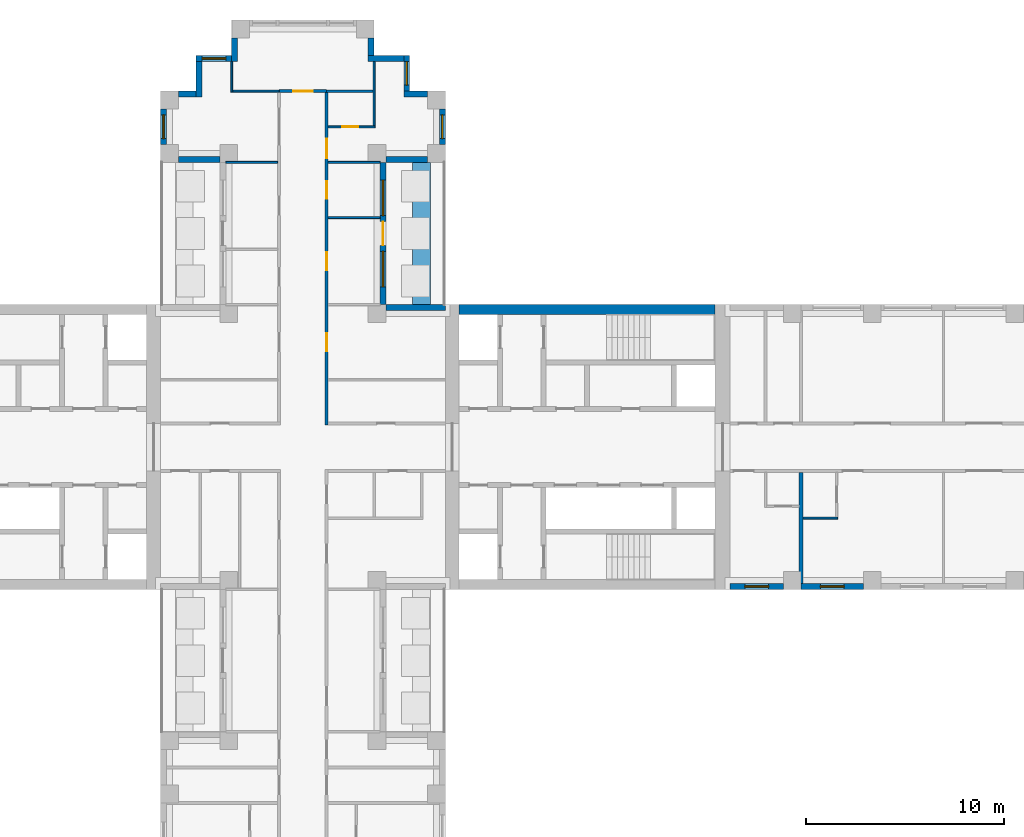
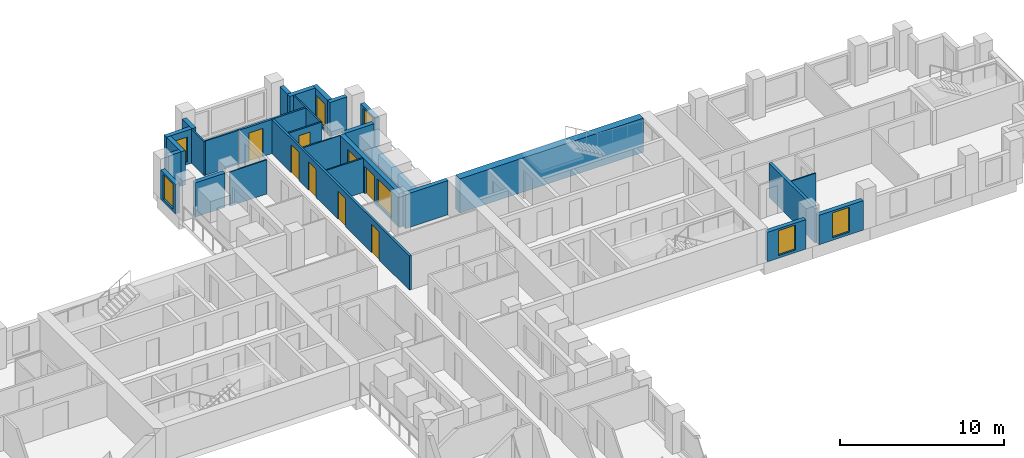
# One storey, part 9 of 13: 30 walls, 8 windows, 7 doors, 15 openings.
"""IFC4 building model written with IfcOpenShell, lengths in metres."""

import ifcopenshell
import ifcopenshell.guid

model = None  # the IFC model being written
_history = None  # IfcOwnerHistory: only IFC2X3 demands one
_inside = {}  # id of a spatial element -> (the spatial element, [elements in it])
_under = {}  # id of a project, library or spatial element -> (it, [spatial elements below it])
_declared = {}  # id of a project -> (the project, [libraries it declares])
_typed = {}  # id of a type object -> (the type object, [elements of that type])
_made_of = {}  # id of a material, layer set ... -> (it, [elements and type objects made of it])


def new_model(schema):
    """Start an empty IFC model of exactly this schema.

    Asked for "IFC4X3", IfcOpenShell would pick the latest addendum, in which some entities
    have other attributes; the version numbers below select the first issue.
    IFC2X3 requires an IfcOwnerHistory on every rooted entity: one is made here for all.
    """
    global model, _history
    if schema == "IFC4X3":
        model = ifcopenshell.file(schema_version=(4, 3, 0, 0))
    else:
        model = ifcopenshell.file(schema=schema)
    _inside.clear()
    _under.clear()
    _declared.clear()
    _typed.clear()
    _made_of.clear()
    _history = None
    if model.schema == "IFC2X3":
        org = make("IfcOrganization", Name="unknown")
        user = make(
            "IfcPersonAndOrganization",
            ThePerson=make("IfcPerson", FamilyName="unknown"),
            TheOrganization=org,
        )
        app = make(
            "IfcApplication",
            ApplicationDeveloper=org,
            Version="unknown",
            ApplicationFullName="unknown",
            ApplicationIdentifier="unknown",
        )
        _history = make(
            "IfcOwnerHistory",
            OwningUser=user,
            OwningApplication=app,
            ChangeAction="ADDED",
            CreationDate=0,
        )
    return model


def make(cls, **values):
    """One entity of the class cls with the attributes given. An attribute that is None is left unset."""
    return model.create_entity(
        cls, **{name: value for name, value in values.items() if value is not None}
    )


def rooted(cls, **values):
    """An entity with a GlobalId (a new one), such as an element, a storey or a relation."""
    return make(cls, GlobalId=ifcopenshell.guid.new(), OwnerHistory=_history, **values)


def si_unit(unit_type, name, prefix=None):
    """IfcSIUnit, for example si_unit("LENGTHUNIT", "METRE", prefix="MILLI")."""
    return make("IfcSIUnit", UnitType=unit_type, Prefix=prefix, Name=name)


def assignment(units):
    """IfcUnitAssignment: the units of a project."""
    return None if units is None else make("IfcUnitAssignment", Units=units)


def point(xyz):
    """IfcCartesianPoint."""
    return None if xyz is None else make("IfcCartesianPoint", Coordinates=xyz)


def direction(xyz):
    """IfcDirection."""
    return None if xyz is None else make("IfcDirection", DirectionRatios=xyz)


def frame(location, z_axis=None, x_axis=None):
    """IfcAxis2Placement3D, a coordinate frame: its origin and axes. An axis left out is left unset."""
    return make(
        "IfcAxis2Placement3D",
        Location=point(location),
        Axis=direction(z_axis),
        RefDirection=direction(x_axis),
    )


def frame_2d(location, x_axis=None):
    """IfcAxis2Placement2D, a coordinate frame in the plane: its origin and x axis."""
    return make(
        "IfcAxis2Placement2D", Location=point(location), RefDirection=direction(x_axis)
    )


def origin():
    """The frame at (0, 0, 0) with its axes left unset."""
    return frame((0.0, 0.0, 0.0))


def place(relative_to, where):
    """IfcLocalPlacement: puts the frame where relative to a parent placement (None: the world)."""
    return make(
        "IfcLocalPlacement", PlacementRelTo=relative_to, RelativePlacement=where
    )


def context(
    kind, dimensions, precision=None, world=None, true_north=None, identifier=None
):
    """IfcGeometricRepresentationContext, for example the 3D "Model" context."""
    return make(
        "IfcGeometricRepresentationContext",
        ContextIdentifier=identifier,
        ContextType=kind,
        CoordinateSpaceDimension=dimensions,
        Precision=precision,
        WorldCoordinateSystem=world,
        TrueNorth=true_north,
    )


def subcontext(parent, identifier, kind, view, scale=None):
    """IfcGeometricRepresentationSubContext, for example "Body" below "Model"."""
    return make(
        "IfcGeometricRepresentationSubContext",
        ContextIdentifier=identifier,
        ContextType=kind,
        ParentContext=parent,
        TargetScale=scale,
        TargetView=view,
    )


def project(units=None, contexts=None):
    """IfcProject with its units and contexts."""
    return rooted(
        "IfcProject",
        Name="project",
        RepresentationContexts=contexts,
        UnitsInContext=assignment(units),
    )


def spatial(cls, under=None, at=None, **own):
    """A site, building, storey or space (cls), placed at a placement, below another one or the project."""
    s = rooted(cls, ObjectPlacement=at, **own)
    if under is not None:
        _under.setdefault(under.id(), (under, []))[1].append(s)
    return s


def profile(cls, at=None, kind="AREA", **sizes):
    """A parametric profile (cls). Its sizes go by their IFC names, for example OverallWidth=200.0."""
    return make(cls, ProfileType=kind, Position=at, **sizes)


def rectangle(**sizes):
    """IfcRectangleProfileDef."""
    return profile("IfcRectangleProfileDef", **sizes)


def extrude(swept, where, along, depth):
    """IfcExtrudedAreaSolid: the profile swept, set in the frame where, extruded along a direction by depth."""
    return make(
        "IfcExtrudedAreaSolid",
        SweptArea=swept,
        Position=where,
        ExtrudedDirection=direction(along),
        Depth=depth,
    )


def shape(context_of_items, identifier, shape_type, items):
    """IfcShapeRepresentation: the items that make up one representation, for example the "Body"."""
    return make(
        "IfcShapeRepresentation",
        ContextOfItems=context_of_items,
        RepresentationIdentifier=identifier,
        RepresentationType=shape_type,
        Items=items,
    )


def material(Name=None, Category=None):
    """IfcMaterial."""
    return make("IfcMaterial", Name=Name, Category=Category)


def layer(
    of_material, thickness, ventilated=None, Name=None, Category=None, Priority=None
):
    """IfcMaterialLayer: one layer of a wall or slab, of a material (None: an air gap)."""
    return make(
        "IfcMaterialLayer",
        Material=of_material,
        LayerThickness=thickness,
        IsVentilated=ventilated,
        Name=Name,
        Category=Category,
        Priority=Priority,
    )


def layer_set(layers, Name=None):
    """IfcMaterialLayerSet."""
    return make("IfcMaterialLayerSet", MaterialLayers=layers, LayerSetName=Name)


def made_of(thing, what):
    """Note that an element or type object is made of a material, layer set ...; save() writes the relation."""
    if what is not None:
        _made_of.setdefault(what.id(), (what, []))[1].append(thing)
    return thing


def type_object(cls, material=None, **own):
    """A type object (cls), such as IfcWallType, which elements share."""
    return made_of(rooted(cls, **own), material)


def element(
    cls,
    number,
    at=None,
    inside=None,
    cuts=None,
    type_object=None,
    material=None,
    context=None,
    identifier="Body",
    shape_type=None,
    held_by="IfcProductDefinitionShape",
    body=None,
    shapes=None,
    **own,
):
    """One element of the class cls, such as IfcWall. Its Tag is "e" and its number.

    at: its placement. inside: the storey or other place that contains it. cuts: it is an
    opening in that element (IfcRelVoidsElement). A single representation is given by context,
    identifier, shape_type and body (its items); several are given by shapes. held_by: the class
    of the entity that holds the representations. save() writes the other relations.
    """
    e = rooted(cls, Tag="e%d" % number, ObjectPlacement=at, **own)
    if body is not None:
        shapes = [shape(context, identifier, shape_type, body)]
    if shapes is not None:
        e.Representation = make(held_by, Representations=shapes)
    if inside is not None:
        _inside.setdefault(inside.id(), (inside, []))[1].append(e)
    if cuts is not None:
        rooted(
            "IfcRelVoidsElement", RelatingBuildingElement=cuts, RelatedOpeningElement=e
        )
    if type_object is not None:
        _typed.setdefault(type_object.id(), (type_object, []))[1].append(e)
    return made_of(e, material)


def fill(opening, filler):
    """IfcRelFillsElement: the door or window that sits in an opening."""
    return rooted(
        "IfcRelFillsElement",
        RelatingOpeningElement=opening,
        RelatedBuildingElement=filler,
    )


def aggregate(whole, parts):
    """IfcRelAggregates: a whole, such as a stair, and the parts it consists of."""
    return rooted("IfcRelAggregates", RelatingObject=whole, RelatedObjects=parts)


def save(model, path):
    """Write the relations noted so far, then the file.

    IfcRelAggregates (storeys below a building ...), IfcRelContainedInSpatialStructure (elements
    in a storey), IfcRelDefinesByType, IfcRelAssociatesMaterial and IfcRelDeclares: one each for
    every whole, place, type object, material and project.
    """
    for whole, parts in _under.values():
        aggregate(whole, parts)
    for where, things in _inside.values():
        rooted(
            "IfcRelContainedInSpatialStructure",
            RelatedElements=things,
            RelatingStructure=where,
        )
    for kind, things in _typed.values():
        rooted("IfcRelDefinesByType", RelatedObjects=things, RelatingType=kind)
    for what, things in _made_of.values():
        rooted("IfcRelAssociatesMaterial", RelatedObjects=things, RelatingMaterial=what)
    for by, libraries in _declared.values():
        rooted("IfcRelDeclares", RelatingContext=by, RelatedDefinitions=libraries)
    model.write(path)


model = new_model("IFC4")

# Units and contexts
model_context = context("Model", 3, precision=1e-05, world=origin(), true_north=direction((0.0, 1.0)))
body_context = subcontext(model_context, "Body", "Model", "MODEL_VIEW")
ifc_project = project(units=[si_unit("LENGTHUNIT", "METRE"), si_unit("AREAUNIT", "SQUARE_METRE"), si_unit("VOLUMEUNIT", "CUBIC_METRE"), si_unit("PLANEANGLEUNIT", "RADIAN"), si_unit("MASSUNIT", "GRAM", prefix="KILO")], contexts=[model_context])

# Site, building, storey
site_placement = place(None, origin())
site = spatial("IfcSite", under=ifc_project, at=site_placement, CompositionType="ELEMENT")
building_placement = place(site_placement, origin())
building = spatial("IfcBuilding", under=site, at=building_placement, Name="Fustian Cross Tower", CompositionType="ELEMENT")
storey_placement = place(building_placement, frame((0.0, 0.0, 108.89990234375)))
storey = spatial("IfcBuildingStorey", under=building, at=storey_placement, Name="L34", CompositionType="ELEMENT", Elevation=108.89990234375)

# Wall, opening, door
ifc_material_1 = material(Name="Plasterboard on steel stud", Category="steel")
ifc_layer_1 = layer(ifc_material_1, 0.14990234375)
ifc_layer_set_1 = layer_set([ifc_layer_1], Name="Plasterboard on steel stud")
wall_type_1 = type_object("IfcWallType", Name="COMPARTMENT WALL 150 EI 60", PredefinedType="PARTITIONING", material=ifc_layer_set_1)
wall_1_placement = place(storey_placement, frame((-1.199951171875, 18.0, 0.0), z_axis=(0.0, 0.0, 1.0), x_axis=(1.0, 0.0, 0.0)))
wall_1 = element("IfcWall", 1, at=wall_1_placement, inside=storey, type_object=wall_type_1, Name="Partition 42", PredefinedType="PARTITIONING", context=body_context, shape_type="SweptSolid", body=[
    extrude(rectangle(XDim=2.39990234375, YDim=0.14990234375, at=frame_2d((1.199951171875, 0.0))), origin(), (0.0, 0.0, 1.0), 2.550048828125),
])
opening_1_placement = place(wall_1_placement, frame((0.699951171875, 0.0, 0.0)))
opening_1 = element("IfcOpeningElement", 2, at=opening_1_placement, cuts=wall_1, Name="Opening D15020", PredefinedType="OPENING", context=body_context, shape_type="SweptSolid", body=[
    extrude(rectangle(XDim=1.0, YDim=2.10009765625, at=frame_2d((0.5, 1.050048828125))), frame((0.0, 0.0849609375, 0.0), z_axis=(0.0, -1.0, 0.0), x_axis=(1.0, 0.0, 0.0)), (0.0, 0.0, 1.0), 0.169921875),
])
ifc_material_2 = material(Name="Timber fire door set", Category="wood")
door_type_1 = type_object("IfcDoorType", Name="FIRE SWING DOOR 1000 FD30S", OperationType="SINGLE_SWING_LEFT", PredefinedType="DOOR", material=ifc_material_2)
door_1_placement = place(opening_1_placement, origin())
door_1 = element("IfcDoor", 3, at=door_1_placement, inside=storey, type_object=door_type_1, Name="Door D15020", OperationType="SINGLE_SWING_LEFT", OverallHeight=2.10009765625, OverallWidth=1.0, PredefinedType="DOOR", context=body_context, shape_type="SweptSolid", body=[
    extrude(rectangle(XDim=1.0, YDim=2.10009765625, at=frame_2d((0.5, 1.050048828125))), frame((0.0, 0.02490234375, 0.0), z_axis=(0.0, -1.0, 0.0), x_axis=(1.0, 0.0, 0.0)), (0.0, 0.0, 1.0), 0.050048828125),
])
fill(opening_1, door_1)

# Wall, openings, doors
wall_2_placement = place(storey_placement, frame((1.199951171875, 1.125, 0.0), z_axis=(0.0, 0.0, 1.0), x_axis=(0.0, 1.0, 0.0)))
wall_2 = element("IfcWall", 4, at=wall_2_placement, inside=storey, type_object=wall_type_1, Name="Partition 51", PredefinedType="PARTITIONING", context=body_context, shape_type="SweptSolid", body=[
    extrude(rectangle(XDim=16.800048828125, YDim=0.14990234375, at=frame_2d((8.39990234375, 0.0))), origin(), (0.0, 0.0, 1.0), 2.550048828125),
])
opening_2_placement = place(wall_2_placement, frame((3.72509765625, 0.0, 0.0)))
opening_2 = element("IfcOpeningElement", 5, at=opening_2_placement, cuts=wall_2, Name="Opening D15002", PredefinedType="OPENING", context=body_context, shape_type="SweptSolid", body=[
    extrude(rectangle(XDim=0.89990234375, YDim=2.10009765625, at=frame_2d((0.449951171875, 1.050048828125))), frame((0.0, 0.0849609375, 0.0), z_axis=(0.0, -1.0, 0.0), x_axis=(1.0, 0.0, 0.0)), (0.0, 0.0, 1.0), 0.169921875),
])
opening_3_placement = place(wall_2_placement, frame((11.425048828125, 0.0, 0.0)))
opening_3 = element("IfcOpeningElement", 6, at=opening_3_placement, cuts=wall_2, Name="Opening D15024", PredefinedType="OPENING", context=body_context, shape_type="SweptSolid", body=[
    extrude(rectangle(XDim=0.89990234375, YDim=2.10009765625, at=frame_2d((0.449951171875, 1.050048828125))), frame((0.0, 0.0849609375, 0.0), z_axis=(0.0, -1.0, 0.0), x_axis=(1.0, 0.0, 0.0)), (0.0, 0.0, 1.0), 0.169921875),
])
opening_4_placement = place(wall_2_placement, frame((7.824951171875, 0.0, 0.0)))
opening_4 = element("IfcOpeningElement", 7, at=opening_4_placement, cuts=wall_2, Name="Opening D15025", PredefinedType="OPENING", context=body_context, shape_type="SweptSolid", body=[
    extrude(rectangle(XDim=0.89990234375, YDim=2.10009765625, at=frame_2d((0.449951171875, 1.050048828125))), frame((0.0, 0.0849609375, 0.0), z_axis=(0.0, -1.0, 0.0), x_axis=(1.0, 0.0, 0.0)), (0.0, 0.0, 1.0), 0.169921875),
])
opening_5_placement = place(wall_2_placement, frame((13.47509765625, 0.0, 0.0)))
opening_5 = element("IfcOpeningElement", 8, at=opening_5_placement, cuts=wall_2, Name="Opening D15027", PredefinedType="OPENING", context=body_context, shape_type="SweptSolid", body=[
    extrude(rectangle(XDim=1.0, YDim=2.10009765625, at=frame_2d((0.5, 1.050048828125))), frame((0.0, 0.0849609375, 0.0), z_axis=(0.0, -1.0, 0.0), x_axis=(1.0, 0.0, 0.0)), (0.0, 0.0, 1.0), 0.169921875),
])
door_2_placement = place(opening_5_placement, frame((1.0, 0.0, 0.0), z_axis=(0.0, 0.0, 1.0), x_axis=(-1.0, 0.0, 0.0)))
door_2 = element("IfcDoor", 9, at=door_2_placement, inside=storey, type_object=door_type_1, Name="Door D15027", OperationType="SINGLE_SWING_RIGHT", OverallHeight=2.10009765625, OverallWidth=1.0, PredefinedType="DOOR", context=body_context, shape_type="SweptSolid", body=[
    extrude(rectangle(XDim=1.0, YDim=2.10009765625, at=frame_2d((0.5, 1.050048828125))), frame((0.0, 0.02490234375, 0.0), z_axis=(0.0, -1.0, 0.0), x_axis=(1.0, 0.0, 0.0)), (0.0, 0.0, 1.0), 0.050048828125),
])
fill(opening_5, door_2)
ifc_material_3 = material(Name="Timber fire door set", Category="wood")
door_type_2 = type_object("IfcDoorType", Name="FIRE SWING DOOR 900 FD30S", OperationType="SINGLE_SWING_LEFT", PredefinedType="DOOR", material=ifc_material_3)
door_3_placement = place(opening_2_placement, frame((0.89990234375, 0.0, 0.0), z_axis=(0.0, 0.0, 1.0), x_axis=(-1.0, 0.0, 0.0)))
door_3 = element("IfcDoor", 10, at=door_3_placement, inside=storey, type_object=door_type_2, Name="Door D15002", OperationType="SINGLE_SWING_LEFT", OverallHeight=2.10009765625, OverallWidth=0.89990234375, PredefinedType="DOOR", context=body_context, shape_type="SweptSolid", body=[
    extrude(rectangle(XDim=0.89990234375, YDim=2.10009765625, at=frame_2d((0.449951171875, 1.050048828125))), frame((0.0, 0.02490234375, 0.0), z_axis=(0.0, -1.0, 0.0), x_axis=(1.0, 0.0, 0.0)), (0.0, 0.0, 1.0), 0.050048828125),
])
fill(opening_2, door_3)
door_4_placement = place(opening_3_placement, frame((0.89990234375, 0.0, 0.0), z_axis=(0.0, 0.0, 1.0), x_axis=(-1.0, 0.0, 0.0)))
door_4 = element("IfcDoor", 11, at=door_4_placement, inside=storey, type_object=door_type_2, Name="Door D15024", OperationType="SINGLE_SWING_RIGHT", OverallHeight=2.10009765625, OverallWidth=0.89990234375, PredefinedType="DOOR", context=body_context, shape_type="SweptSolid", body=[
    extrude(rectangle(XDim=0.89990234375, YDim=2.10009765625, at=frame_2d((0.449951171875, 1.050048828125))), frame((0.0, 0.02490234375, 0.0), z_axis=(0.0, -1.0, 0.0), x_axis=(1.0, 0.0, 0.0)), (0.0, 0.0, 1.0), 0.050048828125),
])
fill(opening_3, door_4)
door_5_placement = place(opening_4_placement, frame((0.89990234375, 0.0, 0.0), z_axis=(0.0, 0.0, 1.0), x_axis=(-1.0, 0.0, 0.0)))
door_5 = element("IfcDoor", 12, at=door_5_placement, inside=storey, type_object=door_type_2, Name="Door D15025", OperationType="SINGLE_SWING_RIGHT", OverallHeight=2.10009765625, OverallWidth=0.89990234375, PredefinedType="DOOR", context=body_context, shape_type="SweptSolid", body=[
    extrude(rectangle(XDim=0.89990234375, YDim=2.10009765625, at=frame_2d((0.449951171875, 1.050048828125))), frame((0.0, 0.02490234375, 0.0), z_axis=(0.0, -1.0, 0.0), x_axis=(1.0, 0.0, 0.0)), (0.0, 0.0, 1.0), 0.050048828125),
])
fill(opening_4, door_5)

# Walls
ifc_material_4 = material(Name="Concrete C70/85", Category="concrete")
ifc_layer_2 = layer(ifc_material_4, 0.5)
ifc_layer_set_2 = layer_set([ifc_layer_2], Name="Concrete C70/85")
wall_type_2 = type_object("IfcWallType", Name="CORE FACADE WALL 500 C70/85", PredefinedType="SHEAR", material=ifc_layer_set_2)
wall_3_placement = place(storey_placement, frame((7.89990234375, 6.949951171875, 0.0), z_axis=(0.0, 0.0, 1.0), x_axis=(1.0, 0.0, 0.0)))
element("IfcWall", 13, at=wall_3_placement, inside=storey, type_object=wall_type_2, Name="Core facade wall", PredefinedType="SHEAR", context=body_context, shape_type="SweptSolid", body=[
    extrude(rectangle(XDim=12.9501953125, YDim=0.5, at=frame_2d((6.47509765625, 0.0))), origin(), (0.0, 0.0, 1.0), 2.550048828125),
])
ifc_material_5 = material(Name="Plasterboard on steel stud", Category="steel")
ifc_layer_3 = layer(ifc_material_5, 0.10009765625)
ifc_layer_set_3 = layer_set([ifc_layer_3], Name="Plasterboard on steel stud")
wall_type_3 = type_object("IfcWallType", Name="PARTITION 100 STUD", PredefinedType="PARTITIONING", material=ifc_layer_set_3)
wall_4_placement = place(storey_placement, frame((-3.89990234375, 14.39990234375, 0.0), z_axis=(0.0, 0.0, 1.0), x_axis=(1.0, 0.0, 0.0)))
element("IfcWall", 14, at=wall_4_placement, inside=storey, type_object=wall_type_3, Name="Partition 35", PredefinedType="PARTITIONING", context=body_context, shape_type="SweptSolid", body=[
    extrude(rectangle(XDim=2.625, YDim=0.10009765625, at=frame_2d((1.3125, 0.0))), origin(), (0.0, 0.0, 1.0), 2.550048828125),
])
wall_5_placement = place(storey_placement, frame((-3.60009765625, 17.949951171875, 0.0), z_axis=(0.0, 0.0, 1.0), x_axis=(0.0, 1.0, 0.0)))
element("IfcWall", 15, at=wall_5_placement, inside=storey, type_object=wall_type_3, Name="Partition 36", PredefinedType="PARTITIONING", context=body_context, shape_type="SweptSolid", body=[
    extrude(rectangle(XDim=1.550048828125, YDim=0.10009765625, at=frame_2d((0.77490234375, 0.0))), origin(), (0.0, 0.0, 1.0), 2.550048828125),
])
wall_6_placement = place(storey_placement, frame((-3.550048828125, 18.0, 0.0), z_axis=(0.0, 0.0, 1.0), x_axis=(1.0, 0.0, 0.0)))
element("IfcWall", 16, at=wall_6_placement, inside=storey, type_object=wall_type_3, Name="Partition 37", PredefinedType="PARTITIONING", context=body_context, shape_type="SweptSolid", body=[
    extrude(rectangle(XDim=2.35009765625, YDim=0.10009765625, at=frame_2d((1.175048828125, 0.0))), origin(), (0.0, 0.0, 1.0), 2.550048828125),
])
for number, where, z_axis, x_axis, name in (
    (17, (1.27490234375, 11.60009765625, 0.0), (0.0, 0.0, 1.0), (1.0, 0.0, 0.0), "Partition 55"),
    (18, (1.27490234375, 14.39990234375, 0.0), (0.0, 0.0, 1.0), (1.0, 0.0, 0.0), "Partition 56"),
):
    element("IfcWall", number, at=place(storey_placement, frame(where, z_axis=z_axis, x_axis=x_axis)), inside=storey, type_object=wall_type_3, Name=name, PredefinedType="PARTITIONING", context=body_context, shape_type="SweptSolid", body=[
        extrude(rectangle(XDim=2.625, YDim=0.10009765625, at=frame_2d((1.3125, 0.0))), origin(), (0.0, 0.0, 1.0), 2.550048828125),
    ])

# Wall, opening, door
wall_7_placement = place(storey_placement, frame((1.27490234375, 16.199951171875, 0.0), z_axis=(0.0, 0.0, 1.0), x_axis=(1.0, 0.0, 0.0)))
wall_7 = element("IfcWall", 19, at=wall_7_placement, inside=storey, type_object=wall_type_3, Name="Partition 57", PredefinedType="PARTITIONING", context=body_context, shape_type="SweptSolid", body=[
    extrude(rectangle(XDim=2.375, YDim=0.10009765625, at=frame_2d((1.1875, 0.0))), origin(), (0.0, 0.0, 1.0), 2.550048828125),
])
opening_6_placement = place(wall_7_placement, frame((0.72509765625, 0.0, 0.0)))
opening_6 = element("IfcOpeningElement", 20, at=opening_6_placement, cuts=wall_7, Name="Opening D15026", PredefinedType="OPENING", context=body_context, shape_type="SweptSolid", body=[
    extrude(rectangle(XDim=0.800048828125, YDim=2.10009765625, at=frame_2d((0.39990234375, 1.050048828125))), frame((0.0, 0.06005859375, 0.0), z_axis=(0.0, -1.0, 0.0), x_axis=(1.0, 0.0, 0.0)), (0.0, 0.0, 1.0), 0.1201171875),
])
ifc_material_6 = material(Name="Painted timber", Category="wood")
door_type_3 = type_object("IfcDoorType", Name="SWING DOOR 800", OperationType="SINGLE_SWING_LEFT", PredefinedType="DOOR", material=ifc_material_6)
door_6_placement = place(opening_6_placement, origin())
door_6 = element("IfcDoor", 21, at=door_6_placement, inside=storey, type_object=door_type_3, Name="Door D15026", OperationType="SINGLE_SWING_LEFT", OverallHeight=2.10009765625, OverallWidth=0.800048828125, PredefinedType="DOOR", context=body_context, shape_type="SweptSolid", body=[
    extrude(rectangle(XDim=0.800048828125, YDim=2.10009765625, at=frame_2d((0.39990234375, 1.050048828125))), frame((0.0, 0.02490234375, 0.0), z_axis=(0.0, -1.0, 0.0), x_axis=(1.0, 0.0, 0.0)), (0.0, 0.0, 1.0), 0.050048828125),
])
fill(opening_6, door_6)

# Walls
wall_8_placement = place(storey_placement, frame((3.60009765625, 16.25, 0.0), z_axis=(0.0, 0.0, 1.0), x_axis=(0.0, 1.0, 0.0)))
element("IfcWall", 22, at=wall_8_placement, inside=storey, type_object=wall_type_3, Name="Partition 64", PredefinedType="PARTITIONING", context=body_context, shape_type="SweptSolid", body=[
    extrude(rectangle(XDim=3.25, YDim=0.10009765625, at=frame_2d((1.625, 0.0))), origin(), (0.0, 0.0, 1.0), 2.550048828125),
])
wall_9_placement = place(storey_placement, frame((25.300048828125, -3.60009765625, 0.0), z_axis=(0.0, 0.0, 1.0), x_axis=(1.0, 0.0, 0.0)))
element("IfcWall", 23, at=wall_9_placement, inside=storey, type_object=wall_type_3, Name="Partition 76", PredefinedType="PARTITIONING", context=body_context, shape_type="SweptSolid", body=[
    extrude(rectangle(XDim=1.75, YDim=0.10009765625, at=frame_2d((0.875, 0.0))), origin(), (0.0, 0.0, 1.0), 2.550048828125),
])
ifc_material_7 = material(Name="Plasterboard on steel stud", Category="steel")
ifc_layer_4 = layer(ifc_material_7, 0.199951171875)
ifc_layer_set_4 = layer_set([ifc_layer_4], Name="Plasterboard on steel stud")
wall_type_4 = type_object("IfcWallType", Name="PARTY WALL 200 EI 60", PredefinedType="PARTITIONING", material=ifc_layer_set_4)
wall_10_placement = place(storey_placement, frame((25.199951171875, -6.89990234375, 0.0), z_axis=(0.0, 0.0, 1.0), x_axis=(0.0, 1.0, 0.0)))
element("IfcWall", 24, at=wall_10_placement, inside=storey, type_object=wall_type_4, Name="Partition 75", PredefinedType="PARTITIONING", context=body_context, shape_type="SweptSolid", body=[
    extrude(rectangle(XDim=5.625, YDim=0.199951171875, at=frame_2d((2.8125, 0.0))), origin(), (0.0, 0.0, 1.0), 2.550048828125),
])
ifc_material_8 = material(Name="Concrete C40/50", Category="concrete")
ifc_layer_5 = layer(ifc_material_8, 0.89990234375)
ifc_layer_set_5 = layer_set([ifc_layer_5], Name="Concrete C40/50")
wall_type_5 = type_object("IfcWallType", Name="PK1 PLANTER 900", PredefinedType="PARAPET", material=ifc_layer_set_5)
wall_11_placement = place(storey_placement, frame((6.0, 7.199951171875, 0.0), z_axis=(0.0, 0.0, 1.0), x_axis=(0.0, 1.0, 0.0)))
element("IfcWall", 25, at=wall_11_placement, inside=storey, type_object=wall_type_5, Name="PLANTER", PredefinedType="PARAPET", context=body_context, shape_type="SweptSolid", body=[
    extrude(rectangle(XDim=7.199951171875, YDim=0.89990234375, at=frame_2d((3.60009765625, 0.0))), origin(), (0.0, 0.0, 1.0), 0.800048828125),
])
ifc_material_9 = material(Name="Plasterboard on steel stud", Category="steel")
ifc_layer_6 = layer(ifc_material_9, 0.125)
ifc_layer_set_6 = layer_set([ifc_layer_6], Name="Plasterboard on steel stud")
wall_type_6 = type_object("IfcWallType", Name="WET WALL 125 STUD", PredefinedType="PARTITIONING", material=ifc_layer_set_6)
wall_12_placement = place(storey_placement, frame((1.199951171875, 18.0, 0.0), z_axis=(0.0, 0.0, 1.0), x_axis=(1.0, 0.0, 0.0)))
element("IfcWall", 26, at=wall_12_placement, inside=storey, type_object=wall_type_6, Name="Partition 58", PredefinedType="PARTITIONING", context=body_context, shape_type="SweptSolid", body=[
    extrude(rectangle(XDim=2.35009765625, YDim=0.125, at=frame_2d((1.175048828125, 0.0))), origin(), (0.0, 0.0, 1.0), 2.550048828125),
])

# Wall, opening, window
ifc_material_10 = material(Name="Dark aluminium cladding on insulated backing wall", Category="aluminium")
ifc_layer_7 = layer(ifc_material_10, 0.300048828125)
ifc_layer_set_7 = layer_set([ifc_layer_7], Name="Dark aluminium cladding on insulated backing wall")
wall_type_7 = type_object("IfcWallType", Name="XW1 EXTERNAL WALL 300", PredefinedType="SOLIDWALL", material=ifc_layer_set_7)
wall_13_placement = place(storey_placement, frame((21.60009765625, -7.050048828125, 0.0), z_axis=(0.0, 0.0, 1.0), x_axis=(1.0, 0.0, 0.0)))
wall_13 = element("IfcWall", 27, at=wall_13_placement, inside=storey, type_object=wall_type_7, Name="External wall", PredefinedType="SOLIDWALL", context=body_context, shape_type="SweptSolid", body=[
    extrude(rectangle(XDim=2.699951171875, YDim=0.300048828125, at=frame_2d((1.35009765625, 0.0))), origin(), (0.0, 0.0, 1.0), 2.2001953125),
])
opening_7_placement = place(wall_13_placement, frame((0.75, 0.0, 0.199951171875)))
opening_7 = element("IfcOpeningElement", 28, at=opening_7_placement, cuts=wall_13, Name="Opening WN3", PredefinedType="OPENING", context=body_context, shape_type="SweptSolid", body=[
    extrude(rectangle(XDim=1.199951171875, YDim=1.85009765625, at=frame_2d((0.60009765625, 0.925048828125))), frame((0.0, 0.159912109375, 0.0), z_axis=(0.0, -1.0, 0.0), x_axis=(1.0, 0.0, 0.0)), (0.0, 0.0, 1.0), 0.320068359375),
])
ifc_material_11 = material(Name="Dark anodised aluminium and double glazing", Category="aluminium")
window_type_1 = type_object("IfcWindowType", Name="WN3 WINDOW 1200X1850", PartitioningType="SINGLE_PANEL", PredefinedType="WINDOW", material=ifc_material_11)
window_1_placement = place(opening_7_placement, origin())
window_1 = element("IfcWindow", 29, at=window_1_placement, inside=storey, type_object=window_type_1, Name="Window", OverallHeight=1.85009765625, OverallWidth=1.199951171875, PartitioningType="SINGLE_PANEL", PredefinedType="WINDOW", context=body_context, shape_type="SweptSolid", body=[
    extrude(rectangle(XDim=1.199951171875, YDim=1.85009765625, at=frame_2d((0.60009765625, 0.925048828125))), frame((0.0, 0.030029296875, 0.0), z_axis=(0.0, -1.0, 0.0), x_axis=(1.0, 0.0, 0.0)), (0.0, 0.0, 1.0), 0.06005859375),
])
fill(opening_7, window_1)

wall_14_placement = place(storey_placement, frame((25.199951171875, -7.050048828125, 0.0), z_axis=(0.0, 0.0, 1.0), x_axis=(1.0, 0.0, 0.0)))
wall_14 = element("IfcWall", 30, at=wall_14_placement, inside=storey, type_object=wall_type_7, Name="External wall", PredefinedType="SOLIDWALL", context=body_context, shape_type="SweptSolid", body=[
    extrude(rectangle(XDim=3.150146484375, YDim=0.300048828125, at=frame_2d((1.5751953125, 0.0))), origin(), (0.0, 0.0, 1.0), 2.2001953125),
])
opening_8_placement = place(wall_14_placement, frame((0.97509765625, 0.0, 0.199951171875)))
opening_8 = element("IfcOpeningElement", 31, at=opening_8_placement, cuts=wall_14, Name="Opening WN3", PredefinedType="OPENING", context=body_context, shape_type="SweptSolid", body=[
    extrude(rectangle(XDim=1.199951171875, YDim=1.85009765625, at=frame_2d((0.60009765625, 0.925048828125))), frame((0.0, 0.159912109375, 0.0), z_axis=(0.0, -1.0, 0.0), x_axis=(1.0, 0.0, 0.0)), (0.0, 0.0, 1.0), 0.320068359375),
])
window_2_placement = place(opening_8_placement, origin())
window_2 = element("IfcWindow", 32, at=window_2_placement, inside=storey, type_object=window_type_1, Name="Window", OverallHeight=1.85009765625, OverallWidth=1.199951171875, PartitioningType="SINGLE_PANEL", PredefinedType="WINDOW", context=body_context, shape_type="SweptSolid", body=[
    extrude(rectangle(XDim=1.199951171875, YDim=1.85009765625, at=frame_2d((0.60009765625, 0.925048828125))), frame((0.0, 0.030029296875, 0.0), z_axis=(0.0, -1.0, 0.0), x_axis=(1.0, 0.0, 0.0)), (0.0, 0.0, 1.0), 0.06005859375),
])
fill(opening_8, window_2)

# Wall
wall_15_placement = place(storey_placement, frame((7.199951171875, 7.050048828125, 0.0), z_axis=(0.0, 0.0, 1.0), x_axis=(-1.0, 0.0, 0.0)))
element("IfcWall", 33, at=wall_15_placement, inside=storey, type_object=wall_type_7, Name="External wall", PredefinedType="SOLIDWALL", context=body_context, shape_type="SweptSolid", body=[
    extrude(rectangle(XDim=3.0, YDim=0.300048828125, at=frame_2d((1.5, 0.0))), origin(), (0.0, 0.0, 1.0), 2.550048828125),
])

# Wall, openings, door, windows
wall_16_placement = place(storey_placement, frame((4.050048828125, 7.199951171875, 0.0), z_axis=(0.0, 0.0, 1.0), x_axis=(0.0, 1.0, 0.0)))
wall_16 = element("IfcWall", 34, at=wall_16_placement, inside=storey, type_object=wall_type_7, Name="External wall", PredefinedType="SOLIDWALL", context=body_context, shape_type="SweptSolid", body=[
    extrude(rectangle(XDim=7.199951171875, YDim=0.300048828125, at=frame_2d((3.60009765625, 0.0))), origin(), (0.0, 0.0, 1.0), 2.550048828125),
])
opening_9_placement = place(wall_16_placement, frame((3.0, 0.0, 0.0)))
opening_9 = element("IfcOpeningElement", 35, at=opening_9_placement, cuts=wall_16, Name="Opening XD1", PredefinedType="OPENING", context=body_context, shape_type="SweptSolid", body=[
    extrude(rectangle(XDim=1.199951171875, YDim=2.050048828125, at=frame_2d((0.60009765625, 1.02490234375))), frame((0.0, 0.159912109375, 0.0), z_axis=(0.0, -1.0, 0.0), x_axis=(1.0, 0.0, 0.0)), (0.0, 0.0, 1.0), 0.320068359375),
])
opening_10_placement = place(wall_16_placement, frame((0.89990234375, 0.0, 0.199951171875)))
opening_10 = element("IfcOpeningElement", 36, at=opening_10_placement, cuts=wall_16, Name="Opening WN2", PredefinedType="OPENING", context=body_context, shape_type="SweptSolid", body=[
    extrude(rectangle(XDim=1.800048828125, YDim=1.85009765625, at=frame_2d((0.89990234375, 0.925048828125))), frame((0.0, 0.159912109375, 0.0), z_axis=(0.0, -1.0, 0.0), x_axis=(1.0, 0.0, 0.0)), (0.0, 0.0, 1.0), 0.320068359375),
])
opening_11_placement = place(wall_16_placement, frame((4.5, 0.0, 0.199951171875)))
opening_11 = element("IfcOpeningElement", 37, at=opening_11_placement, cuts=wall_16, Name="Opening WN2", PredefinedType="OPENING", context=body_context, shape_type="SweptSolid", body=[
    extrude(rectangle(XDim=1.800048828125, YDim=1.85009765625, at=frame_2d((0.89990234375, 0.925048828125))), frame((0.0, 0.159912109375, 0.0), z_axis=(0.0, -1.0, 0.0), x_axis=(1.0, 0.0, 0.0)), (0.0, 0.0, 1.0), 0.320068359375),
])
ifc_material_12 = material(Name="Dark anodised aluminium and double glazing", Category="aluminium")
door_type_4 = type_object("IfcDoorType", Name="ED1 BALCONY DOOR 1200X2050", OperationType="SINGLE_SWING_LEFT", PredefinedType="DOOR", material=ifc_material_12)
door_7_placement = place(opening_9_placement, origin())
door_7 = element("IfcDoor", 38, at=door_7_placement, inside=storey, type_object=door_type_4, Name="Balcony door", OperationType="SINGLE_SWING_LEFT", OverallHeight=2.050048828125, OverallWidth=1.199951171875, PredefinedType="DOOR", context=body_context, shape_type="SweptSolid", body=[
    extrude(rectangle(XDim=1.199951171875, YDim=2.050048828125, at=frame_2d((0.60009765625, 1.02490234375))), frame((0.0, 0.02490234375, 0.0), z_axis=(0.0, -1.0, 0.0), x_axis=(1.0, 0.0, 0.0)), (0.0, 0.0, 1.0), 0.050048828125),
])
fill(opening_9, door_7)
ifc_material_13 = material(Name="Dark anodised aluminium and double glazing", Category="aluminium")
window_type_2 = type_object("IfcWindowType", Name="WN2 WINDOW 1800X1850", PartitioningType="SINGLE_PANEL", PredefinedType="WINDOW", material=ifc_material_13)
window_3_placement = place(opening_10_placement, origin())
window_3 = element("IfcWindow", 39, at=window_3_placement, inside=storey, type_object=window_type_2, Name="Window", OverallHeight=1.85009765625, OverallWidth=1.800048828125, PartitioningType="SINGLE_PANEL", PredefinedType="WINDOW", context=body_context, shape_type="SweptSolid", body=[
    extrude(rectangle(XDim=1.800048828125, YDim=1.85009765625, at=frame_2d((0.89990234375, 0.925048828125))), frame((0.0, 0.030029296875, 0.0), z_axis=(0.0, -1.0, 0.0), x_axis=(1.0, 0.0, 0.0)), (0.0, 0.0, 1.0), 0.06005859375),
])
fill(opening_10, window_3)
window_4_placement = place(opening_11_placement, origin())
window_4 = element("IfcWindow", 40, at=window_4_placement, inside=storey, type_object=window_type_2, Name="Window", OverallHeight=1.85009765625, OverallWidth=1.800048828125, PartitioningType="SINGLE_PANEL", PredefinedType="WINDOW", context=body_context, shape_type="SweptSolid", body=[
    extrude(rectangle(XDim=1.800048828125, YDim=1.85009765625, at=frame_2d((0.89990234375, 0.925048828125))), frame((0.0, 0.030029296875, 0.0), z_axis=(0.0, -1.0, 0.0), x_axis=(1.0, 0.0, 0.0)), (0.0, 0.0, 1.0), 0.06005859375),
])
fill(opening_11, window_4)

# Wall
wall_17_placement = place(storey_placement, frame((4.199951171875, 14.550048828125, 0.0), z_axis=(0.0, 0.0, 1.0), x_axis=(1.0, 0.0, 0.0)))
element("IfcWall", 41, at=wall_17_placement, inside=storey, type_object=wall_type_7, Name="External wall", PredefinedType="SOLIDWALL", context=body_context, shape_type="SweptSolid", body=[
    extrude(rectangle(XDim=2.10009765625, YDim=0.300048828125, at=frame_2d((1.050048828125, 0.0))), origin(), (0.0, 0.0, 1.0), 2.550048828125),
])

# Wall, opening, window
wall_18_placement = place(storey_placement, frame((7.050048828125, 15.300048828125, 0.0), z_axis=(0.0, 0.0, 1.0), x_axis=(0.0, 1.0, 0.0)))
wall_18 = element("IfcWall", 42, at=wall_18_placement, inside=storey, type_object=wall_type_7, Name="External wall", PredefinedType="SOLIDWALL", context=body_context, shape_type="SweptSolid", body=[
    extrude(rectangle(XDim=1.800048828125, YDim=0.300048828125, at=frame_2d((0.89990234375, 0.0))), origin(), (0.0, 0.0, 1.0), 2.2001953125),
])
opening_12_placement = place(wall_18_placement, frame((0.300048828125, 0.0, 0.199951171875)))
opening_12 = element("IfcOpeningElement", 43, at=opening_12_placement, cuts=wall_18, Name="Opening WN3", PredefinedType="OPENING", context=body_context, shape_type="SweptSolid", body=[
    extrude(rectangle(XDim=1.199951171875, YDim=1.85009765625, at=frame_2d((0.60009765625, 0.925048828125))), frame((0.0, 0.159912109375, 0.0), z_axis=(0.0, -1.0, 0.0), x_axis=(1.0, 0.0, 0.0)), (0.0, 0.0, 1.0), 0.320068359375),
])
window_5_placement = place(opening_12_placement, origin())
window_5 = element("IfcWindow", 44, at=window_5_placement, inside=storey, type_object=window_type_1, Name="Window", OverallHeight=1.85009765625, OverallWidth=1.199951171875, PartitioningType="SINGLE_PANEL", PredefinedType="WINDOW", context=body_context, shape_type="SweptSolid", body=[
    extrude(rectangle(XDim=1.199951171875, YDim=1.85009765625, at=frame_2d((0.60009765625, 0.925048828125))), frame((0.0, 0.030029296875, 0.0), z_axis=(0.0, -1.0, 0.0), x_axis=(1.0, 0.0, 0.0)), (0.0, 0.0, 1.0), 0.06005859375),
])
fill(opening_12, window_5)

# Wall
wall_19_placement = place(storey_placement, frame((6.300048828125, 17.85009765625, 0.0), z_axis=(0.0, 0.0, 1.0), x_axis=(-1.0, 0.0, 0.0)))
element("IfcWall", 45, at=wall_19_placement, inside=storey, type_object=wall_type_7, Name="External wall", PredefinedType="SOLIDWALL", context=body_context, shape_type="SweptSolid", body=[
    extrude(rectangle(XDim=1.199951171875, YDim=0.300048828125, at=frame_2d((0.60009765625, 0.0))), origin(), (0.0, 0.0, 1.0), 2.550048828125),
])

# Wall, opening, window
wall_20_placement = place(storey_placement, frame((5.25, 18.0, 0.0), z_axis=(0.0, 0.0, 1.0), x_axis=(0.0, 1.0, 0.0)))
wall_20 = element("IfcWall", 46, at=wall_20_placement, inside=storey, type_object=wall_type_7, Name="External wall", PredefinedType="SOLIDWALL", context=body_context, shape_type="SweptSolid", body=[
    extrude(rectangle(XDim=1.800048828125, YDim=0.300048828125, at=frame_2d((0.89990234375, 0.0))), origin(), (0.0, 0.0, 1.0), 2.550048828125),
])
opening_13_placement = place(wall_20_placement, frame((0.300048828125, 0.0, 0.199951171875)))
opening_13 = element("IfcOpeningElement", 47, at=opening_13_placement, cuts=wall_20, Name="Opening WN3", PredefinedType="OPENING", context=body_context, shape_type="SweptSolid", body=[
    extrude(rectangle(XDim=1.199951171875, YDim=1.85009765625, at=frame_2d((0.60009765625, 0.925048828125))), frame((0.0, 0.159912109375, 0.0), z_axis=(0.0, -1.0, 0.0), x_axis=(1.0, 0.0, 0.0)), (0.0, 0.0, 1.0), 0.320068359375),
])
window_6_placement = place(opening_13_placement, origin())
window_6 = element("IfcWindow", 48, at=window_6_placement, inside=storey, type_object=window_type_1, Name="Window", OverallHeight=1.85009765625, OverallWidth=1.199951171875, PartitioningType="SINGLE_PANEL", PredefinedType="WINDOW", context=body_context, shape_type="SweptSolid", body=[
    extrude(rectangle(XDim=1.199951171875, YDim=1.85009765625, at=frame_2d((0.60009765625, 0.925048828125))), frame((0.0, 0.030029296875, 0.0), z_axis=(0.0, -1.0, 0.0), x_axis=(1.0, 0.0, 0.0)), (0.0, 0.0, 1.0), 0.06005859375),
])
fill(opening_13, window_6)

# Walls
wall_21_placement = place(storey_placement, frame((5.10009765625, 19.64990234375, 0.0), z_axis=(0.0, 0.0, 1.0), x_axis=(-1.0, 0.0, 0.0)))
element("IfcWall", 49, at=wall_21_placement, inside=storey, type_object=wall_type_7, Name="External wall", PredefinedType="SOLIDWALL", context=body_context, shape_type="SweptSolid", body=[
    extrude(rectangle(XDim=1.800048828125, YDim=0.300048828125, at=frame_2d((0.89990234375, 0.0))), origin(), (0.0, 0.0, 1.0), 2.550048828125),
])
wall_22_placement = place(storey_placement, frame((3.449951171875, 19.800048828125, 0.0), z_axis=(0.0, 0.0, 1.0), x_axis=(0.0, 1.0, 0.0)))
element("IfcWall", 50, at=wall_22_placement, inside=storey, type_object=wall_type_7, Name="External wall", PredefinedType="SOLIDWALL", context=body_context, shape_type="SweptSolid", body=[
    extrude(rectangle(XDim=0.89990234375, YDim=0.300048828125, at=frame_2d((0.449951171875, 0.0))), origin(), (0.0, 0.0, 1.0), 2.550048828125),
])
wall_23_placement = place(storey_placement, frame((-3.449951171875, 20.699951171875, 0.0), z_axis=(0.0, 0.0, 1.0), x_axis=(0.0, -1.0, 0.0)))
element("IfcWall", 51, at=wall_23_placement, inside=storey, type_object=wall_type_7, Name="External wall", PredefinedType="SOLIDWALL", context=body_context, shape_type="SweptSolid", body=[
    extrude(rectangle(XDim=1.199951171875, YDim=0.300048828125, at=frame_2d((0.60009765625, 0.0))), origin(), (0.0, 0.0, 1.0), 2.550048828125),
])

# Wall, opening, window
wall_24_placement = place(storey_placement, frame((-3.60009765625, 19.64990234375, 0.0), z_axis=(0.0, 0.0, 1.0), x_axis=(-1.0, 0.0, 0.0)))
wall_24 = element("IfcWall", 52, at=wall_24_placement, inside=storey, type_object=wall_type_7, Name="External wall", PredefinedType="SOLIDWALL", context=body_context, shape_type="SweptSolid", body=[
    extrude(rectangle(XDim=1.7998046875, YDim=0.300048828125, at=frame_2d((0.89990234375, 0.0))), origin(), (0.0, 0.0, 1.0), 2.550048828125),
])
opening_14_placement = place(wall_24_placement, frame((0.300048828125, 0.0, 0.199951171875)))
opening_14 = element("IfcOpeningElement", 53, at=opening_14_placement, cuts=wall_24, Name="Opening WN3", PredefinedType="OPENING", context=body_context, shape_type="SweptSolid", body=[
    extrude(rectangle(XDim=1.199951171875, YDim=1.85009765625, at=frame_2d((0.60009765625, 0.925048828125))), frame((0.0, 0.159912109375, 0.0), z_axis=(0.0, -1.0, 0.0), x_axis=(1.0, 0.0, 0.0)), (0.0, 0.0, 1.0), 0.320068359375),
])
window_7_placement = place(opening_14_placement, origin())
window_7 = element("IfcWindow", 54, at=window_7_placement, inside=storey, type_object=window_type_1, Name="Window", OverallHeight=1.85009765625, OverallWidth=1.199951171875, PartitioningType="SINGLE_PANEL", PredefinedType="WINDOW", context=body_context, shape_type="SweptSolid", body=[
    extrude(rectangle(XDim=1.199951171875, YDim=1.85009765625, at=frame_2d((0.60009765625, 0.925048828125))), frame((0.0, 0.030029296875, 0.0), z_axis=(0.0, -1.0, 0.0), x_axis=(1.0, 0.0, 0.0)), (0.0, 0.0, 1.0), 0.06005859375),
])
fill(opening_14, window_7)

# Walls
wall_25_placement = place(storey_placement, frame((-5.25, 19.5, 0.0), z_axis=(0.0, 0.0, 1.0), x_axis=(0.0, -1.0, 0.0)))
element("IfcWall", 55, at=wall_25_placement, inside=storey, type_object=wall_type_7, Name="External wall", PredefinedType="SOLIDWALL", context=body_context, shape_type="SweptSolid", body=[
    extrude(rectangle(XDim=1.800048828125, YDim=0.300048828125, at=frame_2d((0.89990234375, 0.0))), origin(), (0.0, 0.0, 1.0), 2.550048828125),
])
wall_26_placement = place(storey_placement, frame((-5.39990234375, 17.85009765625, 0.0), z_axis=(0.0, 0.0, 1.0), x_axis=(-1.0, 0.0, 0.0)))
element("IfcWall", 56, at=wall_26_placement, inside=storey, type_object=wall_type_7, Name="External wall", PredefinedType="SOLIDWALL", context=body_context, shape_type="SweptSolid", body=[
    extrude(rectangle(XDim=0.900146484375, YDim=0.300048828125, at=frame_2d((0.4501953125, 0.0))), origin(), (0.0, 0.0, 1.0), 2.550048828125),
])

# Wall, opening, window
wall_27_placement = place(storey_placement, frame((-7.050048828125, 17.10009765625, 0.0), z_axis=(0.0, 0.0, 1.0), x_axis=(0.0, -1.0, 0.0)))
wall_27 = element("IfcWall", 57, at=wall_27_placement, inside=storey, type_object=wall_type_7, Name="External wall", PredefinedType="SOLIDWALL", context=body_context, shape_type="SweptSolid", body=[
    extrude(rectangle(XDim=1.800048828125, YDim=0.300048828125, at=frame_2d((0.89990234375, 0.0))), origin(), (0.0, 0.0, 1.0), 2.2001953125),
])
opening_15_placement = place(wall_27_placement, frame((0.300048828125, 0.0, 0.199951171875)))
opening_15 = element("IfcOpeningElement", 58, at=opening_15_placement, cuts=wall_27, Name="Opening WN3", PredefinedType="OPENING", context=body_context, shape_type="SweptSolid", body=[
    extrude(rectangle(XDim=1.199951171875, YDim=1.85009765625, at=frame_2d((0.60009765625, 0.925048828125))), frame((0.0, 0.159912109375, 0.0), z_axis=(0.0, -1.0, 0.0), x_axis=(1.0, 0.0, 0.0)), (0.0, 0.0, 1.0), 0.320068359375),
])
window_8_placement = place(opening_15_placement, origin())
window_8 = element("IfcWindow", 59, at=window_8_placement, inside=storey, type_object=window_type_1, Name="Window", OverallHeight=1.85009765625, OverallWidth=1.199951171875, PartitioningType="SINGLE_PANEL", PredefinedType="WINDOW", context=body_context, shape_type="SweptSolid", body=[
    extrude(rectangle(XDim=1.199951171875, YDim=1.85009765625, at=frame_2d((0.60009765625, 0.925048828125))), frame((0.0, 0.030029296875, 0.0), z_axis=(0.0, -1.0, 0.0), x_axis=(1.0, 0.0, 0.0)), (0.0, 0.0, 1.0), 0.06005859375),
])
fill(opening_15, window_8)

# Wall
wall_28_placement = place(storey_placement, frame((-6.300048828125, 14.550048828125, 0.0), z_axis=(0.0, 0.0, 1.0), x_axis=(1.0, 0.0, 0.0)))
element("IfcWall", 60, at=wall_28_placement, inside=storey, type_object=wall_type_7, Name="External wall", PredefinedType="SOLIDWALL", context=body_context, shape_type="SweptSolid", body=[
    extrude(rectangle(XDim=2.10009765625, YDim=0.300048828125, at=frame_2d((1.050048828125, 0.0))), origin(), (0.0, 0.0, 1.0), 2.550048828125),
])

save(model, "model.ifc")
